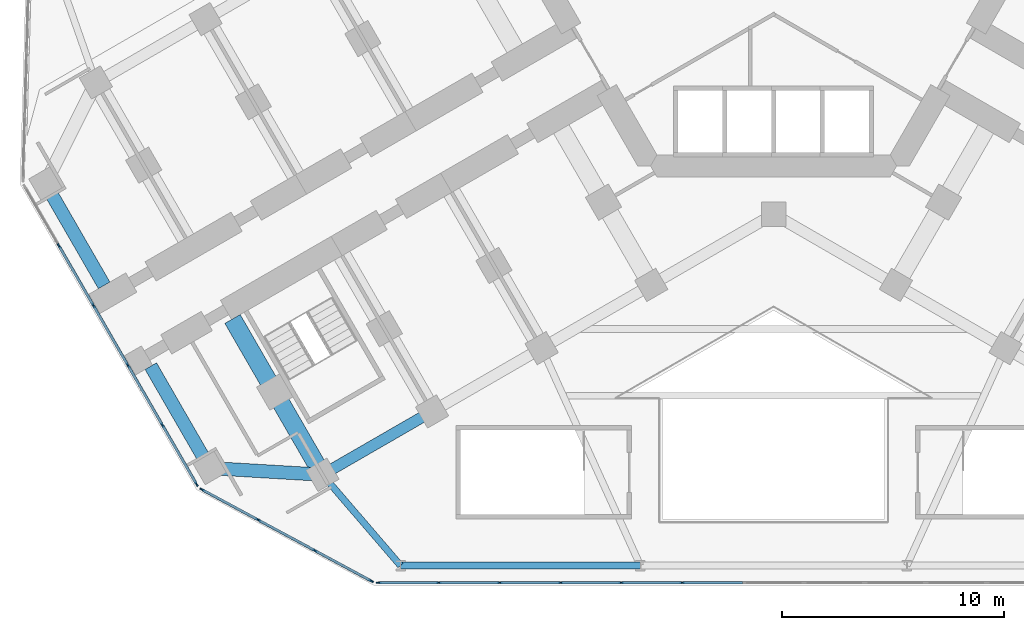
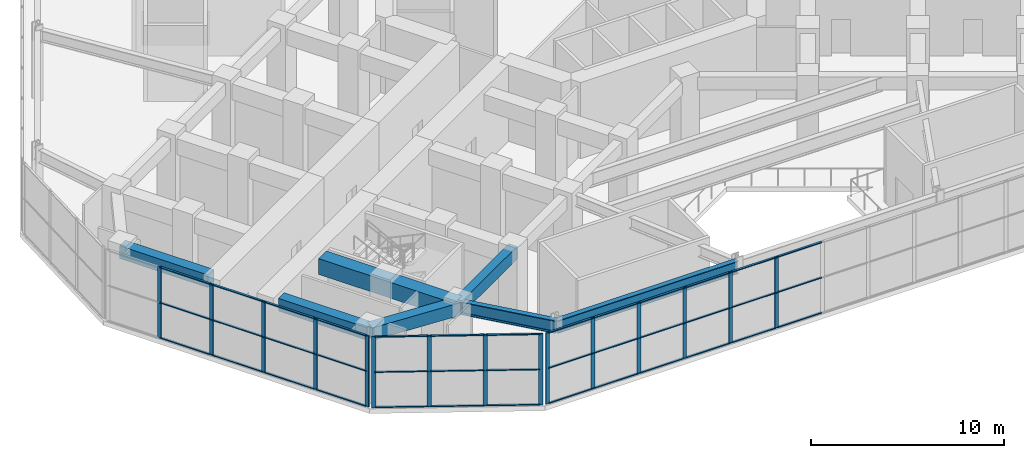
# One storey, part 2 of 22: 54 members, 7 beams, 3 elements without a shape of their own.
"""IFC4 building model written with IfcOpenShell, lengths in metres."""

from ifc_helpers import new_model, si_unit, direction, frame, origin, origin_2d, place, context, subcontext, project, spatial, rectangle, i_section, extrude, material, material_profile, profile_set, type_object, element, aggregate, save


model = new_model("IFC4")

# Units and contexts
model_context = context("Model", 3, precision=1e-05, world=origin(), true_north=direction((0.0, 1.0)))
body_context = subcontext(model_context, "Body", "Model", "MODEL_VIEW")
ifc_project = project(units=[si_unit("LENGTHUNIT", "METRE"), si_unit("AREAUNIT", "SQUARE_METRE"), si_unit("VOLUMEUNIT", "CUBIC_METRE"), si_unit("PLANEANGLEUNIT", "RADIAN"), si_unit("MASSUNIT", "GRAM", prefix="KILO")], contexts=[model_context])

# Site, building, storey
site_placement = place(None, origin())
site = spatial("IfcSite", under=ifc_project, at=site_placement, CompositionType="ELEMENT")
building_placement = place(site_placement, origin())
building = spatial("IfcBuilding", under=site, at=building_placement, Name="Kosmar Iwan School Tower", CompositionType="ELEMENT")
storey_placement = place(building_placement, frame((0.0, 0.0, 15.60009765625)))
storey = spatial("IfcBuildingStorey", under=building, at=storey_placement, Name="L03", CompositionType="ELEMENT", Elevation=15.60009765625)

# Beams
ifc_material_1 = material(Name="Steel S355", Category="steel")
ifc_material_profile_1 = material_profile(ifc_material_1, i_section(OverallWidth=0.300048828125, OverallDepth=0.800048828125, WebThickness=0.017578125, FlangeThickness=0.032958984375, FilletRadius=0.030029296875, at=origin_2d()), Name="HE 800 B")
ifc_profile_set_1 = profile_set([ifc_material_profile_1], Name="Steel S355")
beam_type_1 = type_object("IfcBeamType", Name="Infill edge beam HE 800 B", PredefinedType="BEAM", material=ifc_profile_set_1)
beam_1_placement = place(storey_placement, frame((-6.0, -27.60009765625, 4.099853515625), z_axis=(-1.0, 0.0, 0.0), x_axis=(0.0, -1.0, 0.0)))
element("IfcBeam", 1, at=beam_1_placement, inside=storey, type_object=beam_type_1, Name="Infill edge beam BC4", PredefinedType="BEAM", context=body_context, shape_type="SweptSolid", body=[
    extrude(i_section(OverallWidth=0.300048828125, OverallDepth=0.800048828125, WebThickness=0.017578125, FlangeThickness=0.032958984375, FilletRadius=0.030029296875, at=origin_2d()), origin(), (0.0, 0.0, 1.0), 10.800048828125),
])
beam_2_placement = place(storey_placement, frame((-16.800048828125, -27.60009765625, 4.099853515625), z_axis=(-0.651941989341, 0.758268845816, 0.0), x_axis=(-0.758268845816, -0.651941989341, 0.0)))
element("IfcBeam", 2, at=beam_2_placement, inside=storey, type_object=beam_type_1, Name="Infill edge beam BC5", PredefinedType="BEAM", context=body_context, shape_type="SweptSolid", body=[
    extrude(i_section(OverallWidth=0.300048828125, OverallDepth=0.800048828125, WebThickness=0.017578125, FlangeThickness=0.032958984375, FilletRadius=0.030029296875, at=origin_2d()), origin(), (0.0, 0.0, 1.0), 5.39599609375),
])

# Curtain wall, members
ifc_material_2 = material(Name="Dark glass in black aluminium frame", Category="aluminium")
curtain_wall_type_1 = type_object("IfcCurtainWallType", Name="Podium curtain wall", PredefinedType="USERDEFINED", material=ifc_material_2)
curtain_wall_1_placement = place(storey_placement, origin())
curtain_wall_1 = element("IfcCurtainWall", 3, at=curtain_wall_1_placement, inside=storey, type_object=curtain_wall_type_1, Name="Curtain wall L03-F00", ObjectType="STICK CURTAIN WALL", PredefinedType="USERDEFINED")
ifc_material_3 = material(Name="Black anodised aluminium", Category="aluminium")
ifc_material_profile_2 = material_profile(ifc_material_3, rectangle(XDim=0.06494140625, YDim=0.219970703125, at=origin_2d()), Name="MULLION 65x220")
ifc_profile_set_2 = profile_set([ifc_material_profile_2], Name="Black anodised aluminium")
member_type_1 = type_object("IfcMemberType", Name="Podium mullion 65x220", PredefinedType="MULLION", material=ifc_profile_set_2)
member_1_placement = place(storey_placement, frame((-17.785888671875, -28.375, 0.0), z_axis=(0.0, 0.0, 1.0), x_axis=(0.0, 1.0, 0.0)))
member_1 = element("IfcMember", 4, at=member_1_placement, type_object=member_type_1, Name="CW3 mullion 1", PredefinedType="MULLION", context=body_context, shape_type="SweptSolid", body=[
    extrude(rectangle(XDim=0.06494140625, YDim=0.219970703125, at=origin_2d()), origin(), (0.0, 0.0, 1.0), 4.5),
])
member_2_placement = place(storey_placement, frame((-15.0771484375, -28.375, 0.0), z_axis=(0.0, 0.0, 1.0), x_axis=(0.0, 1.0, 0.0)))
member_2 = element("IfcMember", 5, at=member_2_placement, type_object=member_type_1, Name="CW3 mullion 2", PredefinedType="MULLION", context=body_context, shape_type="SweptSolid", body=[
    extrude(rectangle(XDim=0.06494140625, YDim=0.219970703125, at=origin_2d()), origin(), (0.0, 0.0, 1.0), 4.5),
])
member_3_placement = place(storey_placement, frame((-12.3359375, -28.375, 0.0), z_axis=(0.0, 0.0, 1.0), x_axis=(0.0, 1.0, 0.0)))
member_3 = element("IfcMember", 6, at=member_3_placement, type_object=member_type_1, Name="CW3 mullion 3", PredefinedType="MULLION", context=body_context, shape_type="SweptSolid", body=[
    extrude(rectangle(XDim=0.06494140625, YDim=0.219970703125, at=origin_2d()), origin(), (0.0, 0.0, 1.0), 4.5),
])
member_4_placement = place(storey_placement, frame((-9.594482421875, -28.375, 0.0), z_axis=(0.0, 0.0, 1.0), x_axis=(0.0, 1.0, 0.0)))
member_4 = element("IfcMember", 7, at=member_4_placement, type_object=member_type_1, Name="CW3 mullion 4", PredefinedType="MULLION", context=body_context, shape_type="SweptSolid", body=[
    extrude(rectangle(XDim=0.06494140625, YDim=0.219970703125, at=origin_2d()), origin(), (0.0, 0.0, 1.0), 4.5),
])
member_5_placement = place(storey_placement, frame((-6.853271484375, -28.375, 0.0), z_axis=(0.0, 0.0, 1.0), x_axis=(0.0, 1.0, 0.0)))
member_5 = element("IfcMember", 8, at=member_5_placement, type_object=member_type_1, Name="CW3 mullion 5", PredefinedType="MULLION", context=body_context, shape_type="SweptSolid", body=[
    extrude(rectangle(XDim=0.06494140625, YDim=0.219970703125, at=origin_2d()), origin(), (0.0, 0.0, 1.0), 4.5),
])
member_6_placement = place(storey_placement, frame((-4.112060546875, -28.375, 0.0), z_axis=(0.0, 0.0, 1.0), x_axis=(0.0, 1.0, 0.0)))
member_6 = element("IfcMember", 9, at=member_6_placement, type_object=member_type_1, Name="CW3 mullion 6", PredefinedType="MULLION", context=body_context, shape_type="SweptSolid", body=[
    extrude(rectangle(XDim=0.06494140625, YDim=0.219970703125, at=origin_2d()), origin(), (0.0, 0.0, 1.0), 4.5),
])

ifc_material_4 = material(Name="Dark glass in black aluminium frame", Category="aluminium")
curtain_wall_type_2 = type_object("IfcCurtainWallType", Name="Tower curtain wall dark glass", PredefinedType="USERDEFINED", material=ifc_material_4)
curtain_wall_2_placement = place(storey_placement, origin())
curtain_wall_2 = element("IfcCurtainWall", 10, at=curtain_wall_2_placement, inside=storey, type_object=curtain_wall_type_2, Name="Curtain wall L03-F10", ObjectType="UNITISED CURTAIN WALL", PredefinedType="USERDEFINED")
member_7_placement = place(storey_placement, frame((-32.185546875, -13.202880859375, 0.0), z_axis=(0.0, 0.0, 1.0), x_axis=(0.866025395669, 0.500000014057, 0.0)))
member_7 = element("IfcMember", 11, at=member_7_placement, type_object=member_type_1, Name="CW1 mullion 2", PredefinedType="MULLION", context=body_context, shape_type="SweptSolid", body=[
    extrude(rectangle(XDim=0.06494140625, YDim=0.219970703125, at=origin_2d()), origin(), (0.0, 0.0, 1.0), 4.5),
])
member_8_placement = place(storey_placement, frame((-30.632568359375, -15.892578125, 0.0), z_axis=(0.0, 0.0, 1.0), x_axis=(0.866025395669, 0.500000014057, 0.0)))
member_8 = element("IfcMember", 12, at=member_8_placement, type_object=member_type_1, Name="CW1 mullion 3", PredefinedType="MULLION", context=body_context, shape_type="SweptSolid", body=[
    extrude(rectangle(XDim=0.06494140625, YDim=0.219970703125, at=origin_2d()), origin(), (0.0, 0.0, 1.0), 4.5),
])
member_9_placement = place(storey_placement, frame((-29.079833984375, -18.582275390625, 0.0), z_axis=(0.0, 0.0, 1.0), x_axis=(0.866025395669, 0.500000014057, 0.0)))
member_9 = element("IfcMember", 13, at=member_9_placement, type_object=member_type_1, Name="CW1 mullion 4", PredefinedType="MULLION", context=body_context, shape_type="SweptSolid", body=[
    extrude(rectangle(XDim=0.06494140625, YDim=0.219970703125, at=origin_2d()), origin(), (0.0, 0.0, 1.0), 4.5),
])
member_10_placement = place(storey_placement, frame((-27.52685546875, -21.272216796875, 0.0), z_axis=(0.0, 0.0, 1.0), x_axis=(0.866025395669, 0.500000014057, 0.0)))
member_10 = element("IfcMember", 14, at=member_10_placement, type_object=member_type_1, Name="CW1 mullion 5", PredefinedType="MULLION", context=body_context, shape_type="SweptSolid", body=[
    extrude(rectangle(XDim=0.06494140625, YDim=0.219970703125, at=origin_2d()), origin(), (0.0, 0.0, 1.0), 4.5),
])
member_11_placement = place(storey_placement, frame((-25.990234375, -23.93359375, 0.0), z_axis=(0.0, 0.0, 1.0), x_axis=(0.866025395669, 0.500000014057, 0.0)))
member_11 = element("IfcMember", 15, at=member_11_placement, type_object=member_type_1, Name="CW1 mullion 6", PredefinedType="MULLION", context=body_context, shape_type="SweptSolid", body=[
    extrude(rectangle(XDim=0.06494140625, YDim=0.219970703125, at=origin_2d()), origin(), (0.0, 0.0, 1.0), 4.5),
])

curtain_wall_3_placement = place(storey_placement, origin())
curtain_wall_3 = element("IfcCurtainWall", 16, at=curtain_wall_3_placement, inside=storey, type_object=curtain_wall_type_1, Name="Curtain wall L03-F11", ObjectType="STICK CURTAIN WALL", PredefinedType="USERDEFINED")
member_12_placement = place(storey_placement, frame((-25.73828125, -24.178466796875, 0.0), z_axis=(0.0, 0.0, 1.0), x_axis=(0.475215410051, 0.879869486941, 0.0)))
member_12 = element("IfcMember", 17, at=member_12_placement, type_object=member_type_1, Name="CW3 mullion 1", PredefinedType="MULLION", context=body_context, shape_type="SweptSolid", body=[
    extrude(rectangle(XDim=0.06494140625, YDim=0.219970703125, at=origin_2d()), origin(), (0.0, 0.0, 1.0), 4.5),
])
member_13_placement = place(storey_placement, frame((-23.21142578125, -25.543212890625, 0.0), z_axis=(0.0, 0.0, 1.0), x_axis=(0.475215410051, 0.879869486941, 0.0)))
member_13 = element("IfcMember", 18, at=member_13_placement, type_object=member_type_1, Name="CW3 mullion 2", PredefinedType="MULLION", context=body_context, shape_type="SweptSolid", body=[
    extrude(rectangle(XDim=0.06494140625, YDim=0.219970703125, at=origin_2d()), origin(), (0.0, 0.0, 1.0), 4.5),
])
member_14_placement = place(storey_placement, frame((-20.656005859375, -26.923583984375, 0.0), z_axis=(0.0, 0.0, 1.0), x_axis=(0.475215410051, 0.879869486941, 0.0)))
member_14 = element("IfcMember", 19, at=member_14_placement, type_object=member_type_1, Name="CW3 mullion 3", PredefinedType="MULLION", context=body_context, shape_type="SweptSolid", body=[
    extrude(rectangle(XDim=0.06494140625, YDim=0.219970703125, at=origin_2d()), origin(), (0.0, 0.0, 1.0), 4.5),
])
member_15_placement = place(storey_placement, frame((-18.12890625, -28.288330078125, 0.0), z_axis=(0.0, 0.0, 1.0), x_axis=(0.475215410051, 0.879869486941, 0.0)))
member_15 = element("IfcMember", 20, at=member_15_placement, type_object=member_type_1, Name="CW3 mullion 4", PredefinedType="MULLION", context=body_context, shape_type="SweptSolid", body=[
    extrude(rectangle(XDim=0.06494140625, YDim=0.219970703125, at=origin_2d()), origin(), (0.0, 0.0, 1.0), 4.5),
])

# Beams
ifc_material_5 = material(Name="Concrete C50/60", Category="concrete")
ifc_material_profile_3 = material_profile(ifc_material_5, rectangle(XDim=0.5, YDim=0.800048828125, at=origin_2d()), Name="RC 500x800")
ifc_profile_set_3 = profile_set([ifc_material_profile_3], Name="Concrete C50/60")
beam_type_2 = type_object("IfcBeamType", Name="RC edge beam 500x800", PredefinedType="BEAM", material=ifc_profile_set_3)
beam_3_placement = place(storey_placement, frame((-15.381591796875, -20.658447265625, 4.099853515625), z_axis=(-0.866015111908, -0.50001782563, 0.0), x_axis=(0.50001782563, -0.866015111908, 0.0)))
element("IfcBeam", 21, at=beam_3_placement, inside=storey, type_object=beam_type_2, Name="Edge beam BL4", PredefinedType="BEAM", context=body_context, shape_type="SweptSolid", body=[
    extrude(rectangle(XDim=0.5, YDim=0.800048828125, at=origin_2d()), origin(), (0.0, 0.0, 1.0), 5.699951171875),
])
ifc_material_6 = material(Name="Concrete C50/60", Category="concrete")
ifc_material_profile_4 = material_profile(ifc_material_6, rectangle(XDim=0.60009765625, YDim=0.800048828125, at=origin_2d()), Name="RC 600x800")
ifc_profile_set_4 = profile_set([ifc_material_profile_4], Name="Concrete C50/60")
beam_type_3 = type_object("IfcBeamType", Name="RC tip beam 600x800", PredefinedType="BEAM", material=ifc_profile_set_4)
beam_4_placement = place(storey_placement, frame((-20.31787109375, -23.508544921875, 4.099853515625), z_axis=(-0.998260616478, 0.058955420358, 0.0), x_axis=(-0.058955420358, -0.998260616478, 0.0)))
element("IfcBeam", 22, at=beam_4_placement, inside=storey, type_object=beam_type_3, Name="Tip beam BL", PredefinedType="BEAM", context=body_context, shape_type="SweptSolid", body=[
    extrude(rectangle(XDim=0.60009765625, YDim=0.800048828125, at=origin_2d()), origin(), (0.0, 0.0, 1.0), 5.08935546875),
])
beam_5_placement = place(storey_placement, frame((-25.3984375, -23.20849609375, 4.099853515625), z_axis=(-0.499993606316, 0.866029095148, 0.0), x_axis=(-0.866029095148, -0.499993606316, 0.0)))
element("IfcBeam", 23, at=beam_5_placement, inside=storey, type_object=beam_type_3, Name="Tip beam BL to corridor wall", PredefinedType="BEAM", context=body_context, shape_type="SweptSolid", body=[
    extrude(rectangle(XDim=0.60009765625, YDim=0.800048828125, at=origin_2d()), origin(), (0.0, 0.0, 1.0), 5.2998046875),
])
beam_6_placement = place(storey_placement, frame((-32.79833984375, -10.391357421875, 4.099853515625), z_axis=(0.499973660256, -0.866040610509, 0.0), x_axis=(0.866040610509, 0.499973660256, 0.0)))
element("IfcBeam", 24, at=beam_6_placement, inside=storey, type_object=beam_type_3, Name="Tip beam BR to corridor wall", PredefinedType="BEAM", context=body_context, shape_type="SweptSolid", body=[
    extrude(rectangle(XDim=0.60009765625, YDim=0.800048828125, at=origin_2d()), origin(), (0.0, 0.0, 1.0), 5.300048828125),
])
ifc_material_7 = material(Name="Concrete C50/60", Category="concrete")
ifc_material_profile_5 = material_profile(ifc_material_7, rectangle(XDim=0.800048828125, YDim=1.0, at=origin_2d()), Name="RC 800x1000")
ifc_profile_set_5 = profile_set([ifc_material_profile_5], Name="Concrete C50/60")
beam_type_4 = type_object("IfcBeamType", Name="RC transverse beam 800x1000", PredefinedType="BEAM", material=ifc_profile_set_5)
beam_7_placement = place(storey_placement, frame((-20.31787109375, -23.508544921875, 4.0), z_axis=(-0.499999880539, 0.866025472755, 0.0), x_axis=(-0.866025472755, -0.499999880539, 0.0)))
element("IfcBeam", 25, at=beam_7_placement, inside=storey, type_object=beam_type_4, Name="Transverse beam BL4", PredefinedType="BEAM", context=body_context, shape_type="SweptSolid", body=[
    extrude(rectangle(XDim=0.800048828125, YDim=1.0, at=origin_2d()), origin(), (0.0, 0.0, 1.0), 8.10009765625),
])

# Member
ifc_material_8 = material(Name="Black anodised aluminium", Category="aluminium")
ifc_material_profile_6 = material_profile(ifc_material_8, rectangle(XDim=0.1201171875, YDim=0.06005859375, at=origin_2d()), Name="TRANSOM 60x120")
ifc_profile_set_6 = profile_set([ifc_material_profile_6], Name="Black anodised aluminium")
member_type_2 = type_object("IfcMemberType", Name="Transom 60x120", PredefinedType="USERDEFINED", material=ifc_profile_set_6)
member_16_placement = place(storey_placement, frame((-17.75341796875, -28.375, 0.02978515625), z_axis=(1.0, 0.0, 0.0), x_axis=(0.0, 1.0, 0.0)))
member_16 = element("IfcMember", 26, at=member_16_placement, type_object=member_type_2, Name="CW3 transom 1.1", ObjectType="TRANSOM", PredefinedType="USERDEFINED", context=body_context, shape_type="SweptSolid", body=[
    extrude(rectangle(XDim=0.1201171875, YDim=0.06005859375, at=origin_2d()), origin(), (0.0, 0.0, 1.0), 2.643798828125),
])

member_17_placement = place(storey_placement, frame((-17.75341796875, -28.375, 2.25), z_axis=(1.0, 0.0, 0.0), x_axis=(0.0, 1.0, 0.0)))
member_17 = element("IfcMember", 27, at=member_17_placement, type_object=member_type_2, Name="CW3 transom 1.2", ObjectType="TRANSOM", PredefinedType="USERDEFINED", context=body_context, shape_type="SweptSolid", body=[
    extrude(rectangle(XDim=0.1201171875, YDim=0.06005859375, at=origin_2d()), origin(), (0.0, 0.0, 1.0), 2.643798828125),
])

member_18_placement = place(storey_placement, frame((-17.75341796875, -28.375, 4.469970703125), z_axis=(1.0, 0.0, 0.0), x_axis=(0.0, 1.0, 0.0)))
member_18 = element("IfcMember", 28, at=member_18_placement, type_object=member_type_2, Name="CW3 transom 1.3", ObjectType="TRANSOM", PredefinedType="USERDEFINED", context=body_context, shape_type="SweptSolid", body=[
    extrude(rectangle(XDim=0.1201171875, YDim=0.06005859375, at=origin_2d()), origin(), (0.0, 0.0, 1.0), 2.643798828125),
])

member_19_placement = place(storey_placement, frame((-15.044677734375, -28.375, 0.02978515625), z_axis=(1.0, 0.0, 0.0), x_axis=(0.0, 1.0, 0.0)))
member_19 = element("IfcMember", 29, at=member_19_placement, type_object=member_type_2, Name="CW3 transom 2.1", ObjectType="TRANSOM", PredefinedType="USERDEFINED", context=body_context, shape_type="SweptSolid", body=[
    extrude(rectangle(XDim=0.1201171875, YDim=0.06005859375, at=origin_2d()), origin(), (0.0, 0.0, 1.0), 2.67626953125),
])

member_20_placement = place(storey_placement, frame((-15.044677734375, -28.375, 2.25), z_axis=(1.0, 0.0, 0.0), x_axis=(0.0, 1.0, 0.0)))
member_20 = element("IfcMember", 30, at=member_20_placement, type_object=member_type_2, Name="CW3 transom 2.2", ObjectType="TRANSOM", PredefinedType="USERDEFINED", context=body_context, shape_type="SweptSolid", body=[
    extrude(rectangle(XDim=0.1201171875, YDim=0.06005859375, at=origin_2d()), origin(), (0.0, 0.0, 1.0), 2.67626953125),
])

member_21_placement = place(storey_placement, frame((-15.044677734375, -28.375, 4.469970703125), z_axis=(1.0, 0.0, 0.0), x_axis=(0.0, 1.0, 0.0)))
member_21 = element("IfcMember", 31, at=member_21_placement, type_object=member_type_2, Name="CW3 transom 2.3", ObjectType="TRANSOM", PredefinedType="USERDEFINED", context=body_context, shape_type="SweptSolid", body=[
    extrude(rectangle(XDim=0.1201171875, YDim=0.06005859375, at=origin_2d()), origin(), (0.0, 0.0, 1.0), 2.67626953125),
])

member_22_placement = place(storey_placement, frame((-12.30322265625, -28.375, 0.02978515625), z_axis=(1.0, 0.0, 0.0), x_axis=(0.0, 1.0, 0.0)))
member_22 = element("IfcMember", 32, at=member_22_placement, type_object=member_type_2, Name="CW3 transom 3.1", ObjectType="TRANSOM", PredefinedType="USERDEFINED", context=body_context, shape_type="SweptSolid", body=[
    extrude(rectangle(XDim=0.1201171875, YDim=0.06005859375, at=origin_2d()), origin(), (0.0, 0.0, 1.0), 2.67626953125),
])

member_23_placement = place(storey_placement, frame((-12.30322265625, -28.375, 2.25), z_axis=(1.0, 0.0, 0.0), x_axis=(0.0, 1.0, 0.0)))
member_23 = element("IfcMember", 33, at=member_23_placement, type_object=member_type_2, Name="CW3 transom 3.2", ObjectType="TRANSOM", PredefinedType="USERDEFINED", context=body_context, shape_type="SweptSolid", body=[
    extrude(rectangle(XDim=0.1201171875, YDim=0.06005859375, at=origin_2d()), origin(), (0.0, 0.0, 1.0), 2.67626953125),
])

member_24_placement = place(storey_placement, frame((-12.30322265625, -28.375, 4.469970703125), z_axis=(1.0, 0.0, 0.0), x_axis=(0.0, 1.0, 0.0)))
member_24 = element("IfcMember", 34, at=member_24_placement, type_object=member_type_2, Name="CW3 transom 3.3", ObjectType="TRANSOM", PredefinedType="USERDEFINED", context=body_context, shape_type="SweptSolid", body=[
    extrude(rectangle(XDim=0.1201171875, YDim=0.06005859375, at=origin_2d()), origin(), (0.0, 0.0, 1.0), 2.67626953125),
])

member_25_placement = place(storey_placement, frame((-9.56201171875, -28.375, 0.02978515625), z_axis=(1.0, 0.0, 0.0), x_axis=(0.0, 1.0, 0.0)))
member_25 = element("IfcMember", 35, at=member_25_placement, type_object=member_type_2, Name="CW3 transom 4.1", ObjectType="TRANSOM", PredefinedType="USERDEFINED", context=body_context, shape_type="SweptSolid", body=[
    extrude(rectangle(XDim=0.1201171875, YDim=0.06005859375, at=origin_2d()), origin(), (0.0, 0.0, 1.0), 2.67626953125),
])

member_26_placement = place(storey_placement, frame((-9.56201171875, -28.375, 2.25), z_axis=(1.0, 0.0, 0.0), x_axis=(0.0, 1.0, 0.0)))
member_26 = element("IfcMember", 36, at=member_26_placement, type_object=member_type_2, Name="CW3 transom 4.2", ObjectType="TRANSOM", PredefinedType="USERDEFINED", context=body_context, shape_type="SweptSolid", body=[
    extrude(rectangle(XDim=0.1201171875, YDim=0.06005859375, at=origin_2d()), origin(), (0.0, 0.0, 1.0), 2.67626953125),
])

member_27_placement = place(storey_placement, frame((-9.56201171875, -28.375, 4.469970703125), z_axis=(1.0, 0.0, 0.0), x_axis=(0.0, 1.0, 0.0)))
member_27 = element("IfcMember", 37, at=member_27_placement, type_object=member_type_2, Name="CW3 transom 4.3", ObjectType="TRANSOM", PredefinedType="USERDEFINED", context=body_context, shape_type="SweptSolid", body=[
    extrude(rectangle(XDim=0.1201171875, YDim=0.06005859375, at=origin_2d()), origin(), (0.0, 0.0, 1.0), 2.67626953125),
])

member_28_placement = place(storey_placement, frame((-6.82080078125, -28.375, 0.02978515625), z_axis=(1.0, 0.0, 0.0), x_axis=(0.0, 1.0, 0.0)))
member_28 = element("IfcMember", 38, at=member_28_placement, type_object=member_type_2, Name="CW3 transom 5.1", ObjectType="TRANSOM", PredefinedType="USERDEFINED", context=body_context, shape_type="SweptSolid", body=[
    extrude(rectangle(XDim=0.1201171875, YDim=0.06005859375, at=origin_2d()), origin(), (0.0, 0.0, 1.0), 2.67626953125),
])

member_29_placement = place(storey_placement, frame((-6.82080078125, -28.375, 2.25), z_axis=(1.0, 0.0, 0.0), x_axis=(0.0, 1.0, 0.0)))
member_29 = element("IfcMember", 39, at=member_29_placement, type_object=member_type_2, Name="CW3 transom 5.2", ObjectType="TRANSOM", PredefinedType="USERDEFINED", context=body_context, shape_type="SweptSolid", body=[
    extrude(rectangle(XDim=0.1201171875, YDim=0.06005859375, at=origin_2d()), origin(), (0.0, 0.0, 1.0), 2.67626953125),
])

member_30_placement = place(storey_placement, frame((-6.82080078125, -28.375, 4.469970703125), z_axis=(1.0, 0.0, 0.0), x_axis=(0.0, 1.0, 0.0)))
member_30 = element("IfcMember", 40, at=member_30_placement, type_object=member_type_2, Name="CW3 transom 5.3", ObjectType="TRANSOM", PredefinedType="USERDEFINED", context=body_context, shape_type="SweptSolid", body=[
    extrude(rectangle(XDim=0.1201171875, YDim=0.06005859375, at=origin_2d()), origin(), (0.0, 0.0, 1.0), 2.67626953125),
])

member_31_placement = place(storey_placement, frame((-4.079345703125, -28.375, 0.02978515625), z_axis=(1.0, 0.0, 0.0), x_axis=(0.0, 1.0, 0.0)))
member_31 = element("IfcMember", 41, at=member_31_placement, type_object=member_type_2, Name="CW3 transom 6.1", ObjectType="TRANSOM", PredefinedType="USERDEFINED", context=body_context, shape_type="SweptSolid", body=[
    extrude(rectangle(XDim=0.1201171875, YDim=0.06005859375, at=origin_2d()), origin(), (0.0, 0.0, 1.0), 2.67626953125),
])

member_32_placement = place(storey_placement, frame((-4.079345703125, -28.375, 2.25), z_axis=(1.0, 0.0, 0.0), x_axis=(0.0, 1.0, 0.0)))
member_32 = element("IfcMember", 42, at=member_32_placement, type_object=member_type_2, Name="CW3 transom 6.2", ObjectType="TRANSOM", PredefinedType="USERDEFINED", context=body_context, shape_type="SweptSolid", body=[
    extrude(rectangle(XDim=0.1201171875, YDim=0.06005859375, at=origin_2d()), origin(), (0.0, 0.0, 1.0), 2.67626953125),
])

member_33_placement = place(storey_placement, frame((-4.079345703125, -28.375, 4.469970703125), z_axis=(1.0, 0.0, 0.0), x_axis=(0.0, 1.0, 0.0)))
member_33 = element("IfcMember", 43, at=member_33_placement, type_object=member_type_2, Name="CW3 transom 6.3", ObjectType="TRANSOM", PredefinedType="USERDEFINED", context=body_context, shape_type="SweptSolid", body=[
    extrude(rectangle(XDim=0.1201171875, YDim=0.06005859375, at=origin_2d()), origin(), (0.0, 0.0, 1.0), 2.67626953125),
])

aggregate(curtain_wall_1, [member_1, member_2, member_3, member_4, member_5, member_6, member_16, member_17, member_18, member_19, member_20, member_21, member_22, member_23, member_24, member_25, member_26, member_27, member_28, member_29, member_30, member_31, member_32, member_33])

member_34_placement = place(storey_placement, frame((-32.16943359375, -13.23095703125, 0.02978515625), z_axis=(0.50000738486, -0.866021140091, 0.0), x_axis=(0.866021140091, 0.50000738486, 0.0)))
member_34 = element("IfcMember", 44, at=member_34_placement, type_object=member_type_2, Name="CW1 transom 2.1", ObjectType="TRANSOM", PredefinedType="USERDEFINED", context=body_context, shape_type="SweptSolid", body=[
    extrude(rectangle(XDim=0.1201171875, YDim=0.06005859375, at=origin_2d()), origin(), (0.0, 0.0, 1.0), 3.041015625),
])

member_35_placement = place(storey_placement, frame((-32.16943359375, -13.23095703125, 2.25), z_axis=(0.50000738486, -0.866021140091, 0.0), x_axis=(0.866021140091, 0.50000738486, 0.0)))
member_35 = element("IfcMember", 45, at=member_35_placement, type_object=member_type_2, Name="CW1 transom 2.2", ObjectType="TRANSOM", PredefinedType="USERDEFINED", context=body_context, shape_type="SweptSolid", body=[
    extrude(rectangle(XDim=0.1201171875, YDim=0.06005859375, at=origin_2d()), origin(), (0.0, 0.0, 1.0), 3.041015625),
])

member_36_placement = place(storey_placement, frame((-32.16943359375, -13.23095703125, 4.469970703125), z_axis=(0.50000738486, -0.866021140091, 0.0), x_axis=(0.866021140091, 0.50000738486, 0.0)))
member_36 = element("IfcMember", 46, at=member_36_placement, type_object=member_type_2, Name="CW1 transom 2.3", ObjectType="TRANSOM", PredefinedType="USERDEFINED", context=body_context, shape_type="SweptSolid", body=[
    extrude(rectangle(XDim=0.1201171875, YDim=0.06005859375, at=origin_2d()), origin(), (0.0, 0.0, 1.0), 3.041015625),
])

member_37_placement = place(storey_placement, frame((-30.616455078125, -15.9208984375, 0.02978515625), z_axis=(0.500042151114, -0.86600106646, 0.0), x_axis=(0.86600106646, 0.500042151114, 0.0)))
member_37 = element("IfcMember", 47, at=member_37_placement, type_object=member_type_2, Name="CW1 transom 3.1", ObjectType="TRANSOM", PredefinedType="USERDEFINED", context=body_context, shape_type="SweptSolid", body=[
    extrude(rectangle(XDim=0.1201171875, YDim=0.06005859375, at=origin_2d()), origin(), (0.0, 0.0, 1.0), 3.040771484375),
])

member_38_placement = place(storey_placement, frame((-30.616455078125, -15.9208984375, 2.25), z_axis=(0.500042151114, -0.86600106646, 0.0), x_axis=(0.86600106646, 0.500042151114, 0.0)))
member_38 = element("IfcMember", 48, at=member_38_placement, type_object=member_type_2, Name="CW1 transom 3.2", ObjectType="TRANSOM", PredefinedType="USERDEFINED", context=body_context, shape_type="SweptSolid", body=[
    extrude(rectangle(XDim=0.1201171875, YDim=0.06005859375, at=origin_2d()), origin(), (0.0, 0.0, 1.0), 3.040771484375),
])

member_39_placement = place(storey_placement, frame((-30.616455078125, -15.9208984375, 4.469970703125), z_axis=(0.500042151114, -0.86600106646, 0.0), x_axis=(0.86600106646, 0.500042151114, 0.0)))
member_39 = element("IfcMember", 49, at=member_39_placement, type_object=member_type_2, Name="CW1 transom 3.3", ObjectType="TRANSOM", PredefinedType="USERDEFINED", context=body_context, shape_type="SweptSolid", body=[
    extrude(rectangle(XDim=0.1201171875, YDim=0.06005859375, at=origin_2d()), origin(), (0.0, 0.0, 1.0), 3.040771484375),
])

member_40_placement = place(storey_placement, frame((-29.0634765625, -18.610595703125, 0.02978515625), z_axis=(0.49998193385, -0.86603583403, 0.0), x_axis=(0.86603583403, 0.49998193385, 0.0)))
member_40 = element("IfcMember", 50, at=member_40_placement, type_object=member_type_2, Name="CW1 transom 4.1", ObjectType="TRANSOM", PredefinedType="USERDEFINED", context=body_context, shape_type="SweptSolid", body=[
    extrude(rectangle(XDim=0.1201171875, YDim=0.06005859375, at=origin_2d()), origin(), (0.0, 0.0, 1.0), 3.04052734375),
])

member_41_placement = place(storey_placement, frame((-29.0634765625, -18.610595703125, 2.25), z_axis=(0.49998193385, -0.86603583403, 0.0), x_axis=(0.86603583403, 0.49998193385, 0.0)))
member_41 = element("IfcMember", 51, at=member_41_placement, type_object=member_type_2, Name="CW1 transom 4.2", ObjectType="TRANSOM", PredefinedType="USERDEFINED", context=body_context, shape_type="SweptSolid", body=[
    extrude(rectangle(XDim=0.1201171875, YDim=0.06005859375, at=origin_2d()), origin(), (0.0, 0.0, 1.0), 3.04052734375),
])

member_42_placement = place(storey_placement, frame((-29.0634765625, -18.610595703125, 4.469970703125), z_axis=(0.49998193385, -0.86603583403, 0.0), x_axis=(0.86603583403, 0.49998193385, 0.0)))
member_42 = element("IfcMember", 52, at=member_42_placement, type_object=member_type_2, Name="CW1 transom 4.3", ObjectType="TRANSOM", PredefinedType="USERDEFINED", context=body_context, shape_type="SweptSolid", body=[
    extrude(rectangle(XDim=0.1201171875, YDim=0.06005859375, at=origin_2d()), origin(), (0.0, 0.0, 1.0), 3.04052734375),
])

member_43_placement = place(storey_placement, frame((-27.510498046875, -21.30029296875, 0.02978515625), z_axis=(0.500005799286, -0.866022055539, 0.0), x_axis=(0.866022055539, 0.500005799286, 0.0)))
member_43 = element("IfcMember", 53, at=member_43_placement, type_object=member_type_2, Name="CW1 transom 5.1", ObjectType="TRANSOM", PredefinedType="USERDEFINED", context=body_context, shape_type="SweptSolid", body=[
    extrude(rectangle(XDim=0.1201171875, YDim=0.06005859375, at=origin_2d()), origin(), (0.0, 0.0, 1.0), 3.00830078125),
])

member_44_placement = place(storey_placement, frame((-27.510498046875, -21.30029296875, 2.25), z_axis=(0.500005799286, -0.866022055539, 0.0), x_axis=(0.866022055539, 0.500005799286, 0.0)))
member_44 = element("IfcMember", 54, at=member_44_placement, type_object=member_type_2, Name="CW1 transom 5.2", ObjectType="TRANSOM", PredefinedType="USERDEFINED", context=body_context, shape_type="SweptSolid", body=[
    extrude(rectangle(XDim=0.1201171875, YDim=0.06005859375, at=origin_2d()), origin(), (0.0, 0.0, 1.0), 3.00830078125),
])

member_45_placement = place(storey_placement, frame((-27.510498046875, -21.30029296875, 4.469970703125), z_axis=(0.500005799286, -0.866022055539, 0.0), x_axis=(0.866022055539, 0.500005799286, 0.0)))
member_45 = element("IfcMember", 55, at=member_45_placement, type_object=member_type_2, Name="CW1 transom 5.3", ObjectType="TRANSOM", PredefinedType="USERDEFINED", context=body_context, shape_type="SweptSolid", body=[
    extrude(rectangle(XDim=0.1201171875, YDim=0.06005859375, at=origin_2d()), origin(), (0.0, 0.0, 1.0), 3.00830078125),
])

aggregate(curtain_wall_2, [member_7, member_8, member_9, member_10, member_11, member_34, member_35, member_36, member_37, member_38, member_39, member_40, member_41, member_42, member_43, member_44, member_45])

member_46_placement = place(storey_placement, frame((-25.709716796875, -24.19384765625, 0.02978515625), z_axis=(0.879855938213, -0.475240494899, 0.0), x_axis=(0.475240494899, 0.879855938213, 0.0)))
member_46 = element("IfcMember", 56, at=member_46_placement, type_object=member_type_2, Name="CW3 transom 1.1", ObjectType="TRANSOM", PredefinedType="USERDEFINED", context=body_context, shape_type="SweptSolid", body=[
    extrude(rectangle(XDim=0.1201171875, YDim=0.06005859375, at=origin_2d()), origin(), (0.0, 0.0, 1.0), 2.806884765625),
])

member_47_placement = place(storey_placement, frame((-25.709716796875, -24.19384765625, 2.25), z_axis=(0.879855938213, -0.475240494899, 0.0), x_axis=(0.475240494899, 0.879855938213, 0.0)))
member_47 = element("IfcMember", 57, at=member_47_placement, type_object=member_type_2, Name="CW3 transom 1.2", ObjectType="TRANSOM", PredefinedType="USERDEFINED", context=body_context, shape_type="SweptSolid", body=[
    extrude(rectangle(XDim=0.1201171875, YDim=0.06005859375, at=origin_2d()), origin(), (0.0, 0.0, 1.0), 2.806884765625),
])

member_48_placement = place(storey_placement, frame((-25.709716796875, -24.19384765625, 4.469970703125), z_axis=(0.879855938213, -0.475240494899, 0.0), x_axis=(0.475240494899, 0.879855938213, 0.0)))
member_48 = element("IfcMember", 58, at=member_48_placement, type_object=member_type_2, Name="CW3 transom 1.3", ObjectType="TRANSOM", PredefinedType="USERDEFINED", context=body_context, shape_type="SweptSolid", body=[
    extrude(rectangle(XDim=0.1201171875, YDim=0.06005859375, at=origin_2d()), origin(), (0.0, 0.0, 1.0), 2.806884765625),
])

member_49_placement = place(storey_placement, frame((-23.182861328125, -25.55859375, 0.02978515625), z_axis=(0.879862975212, -0.475227466432, 0.0), x_axis=(0.475227466432, 0.879862975212, 0.0)))
member_49 = element("IfcMember", 59, at=member_49_placement, type_object=member_type_2, Name="CW3 transom 2.1", ObjectType="TRANSOM", PredefinedType="USERDEFINED", context=body_context, shape_type="SweptSolid", body=[
    extrude(rectangle(XDim=0.1201171875, YDim=0.06005859375, at=origin_2d()), origin(), (0.0, 0.0, 1.0), 2.83935546875),
])

member_50_placement = place(storey_placement, frame((-23.182861328125, -25.55859375, 2.25), z_axis=(0.879862975212, -0.475227466432, 0.0), x_axis=(0.475227466432, 0.879862975212, 0.0)))
member_50 = element("IfcMember", 60, at=member_50_placement, type_object=member_type_2, Name="CW3 transom 2.2", ObjectType="TRANSOM", PredefinedType="USERDEFINED", context=body_context, shape_type="SweptSolid", body=[
    extrude(rectangle(XDim=0.1201171875, YDim=0.06005859375, at=origin_2d()), origin(), (0.0, 0.0, 1.0), 2.83935546875),
])

member_51_placement = place(storey_placement, frame((-23.182861328125, -25.55859375, 4.469970703125), z_axis=(0.879862975212, -0.475227466432, 0.0), x_axis=(0.475227466432, 0.879862975212, 0.0)))
member_51 = element("IfcMember", 61, at=member_51_placement, type_object=member_type_2, Name="CW3 transom 2.3", ObjectType="TRANSOM", PredefinedType="USERDEFINED", context=body_context, shape_type="SweptSolid", body=[
    extrude(rectangle(XDim=0.1201171875, YDim=0.06005859375, at=origin_2d()), origin(), (0.0, 0.0, 1.0), 2.83935546875),
])

member_52_placement = place(storey_placement, frame((-20.627197265625, -26.93896484375, 0.02978515625), z_axis=(0.879855938213, -0.475240494899, 0.0), x_axis=(0.475240494899, 0.879855938213, 0.0)))
member_52 = element("IfcMember", 62, at=member_52_placement, type_object=member_type_2, Name="CW3 transom 3.1", ObjectType="TRANSOM", PredefinedType="USERDEFINED", context=body_context, shape_type="SweptSolid", body=[
    extrude(rectangle(XDim=0.1201171875, YDim=0.06005859375, at=origin_2d()), origin(), (0.0, 0.0, 1.0), 2.806884765625),
])

member_53_placement = place(storey_placement, frame((-20.627197265625, -26.93896484375, 2.25), z_axis=(0.879855938213, -0.475240494899, 0.0), x_axis=(0.475240494899, 0.879855938213, 0.0)))
member_53 = element("IfcMember", 63, at=member_53_placement, type_object=member_type_2, Name="CW3 transom 3.2", ObjectType="TRANSOM", PredefinedType="USERDEFINED", context=body_context, shape_type="SweptSolid", body=[
    extrude(rectangle(XDim=0.1201171875, YDim=0.06005859375, at=origin_2d()), origin(), (0.0, 0.0, 1.0), 2.806884765625),
])

member_54_placement = place(storey_placement, frame((-20.627197265625, -26.93896484375, 4.469970703125), z_axis=(0.879855938213, -0.475240494899, 0.0), x_axis=(0.475240494899, 0.879855938213, 0.0)))
member_54 = element("IfcMember", 64, at=member_54_placement, type_object=member_type_2, Name="CW3 transom 3.3", ObjectType="TRANSOM", PredefinedType="USERDEFINED", context=body_context, shape_type="SweptSolid", body=[
    extrude(rectangle(XDim=0.1201171875, YDim=0.06005859375, at=origin_2d()), origin(), (0.0, 0.0, 1.0), 2.806884765625),
])

aggregate(curtain_wall_3, [member_12, member_13, member_14, member_15, member_46, member_47, member_48, member_49, member_50, member_51, member_52, member_53, member_54])

save(model, "model.ifc")
